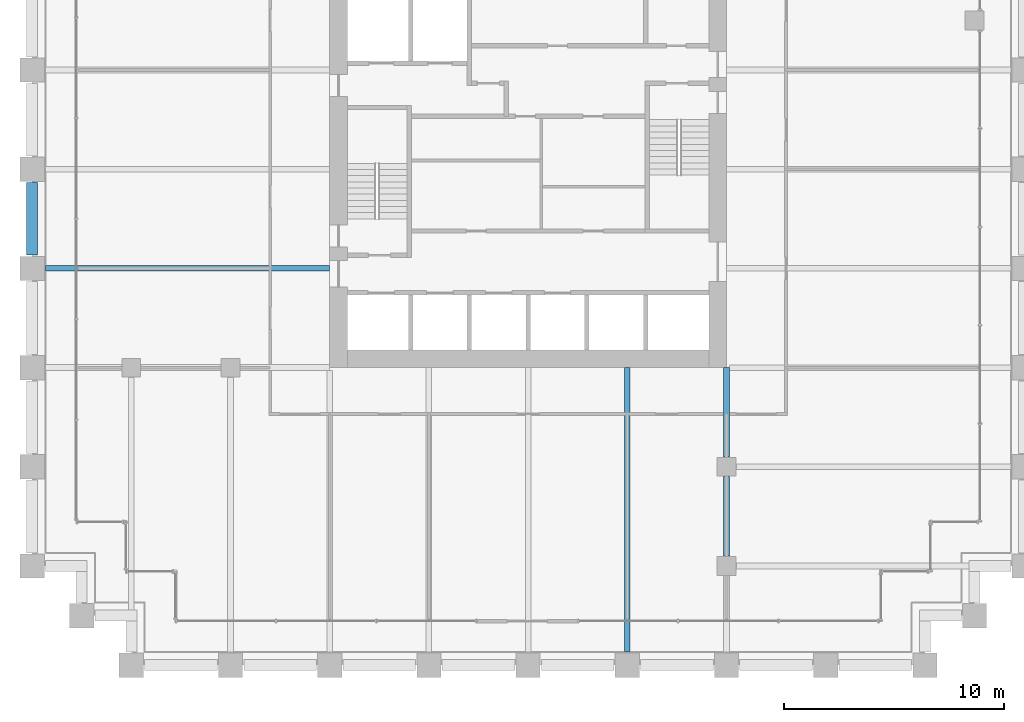
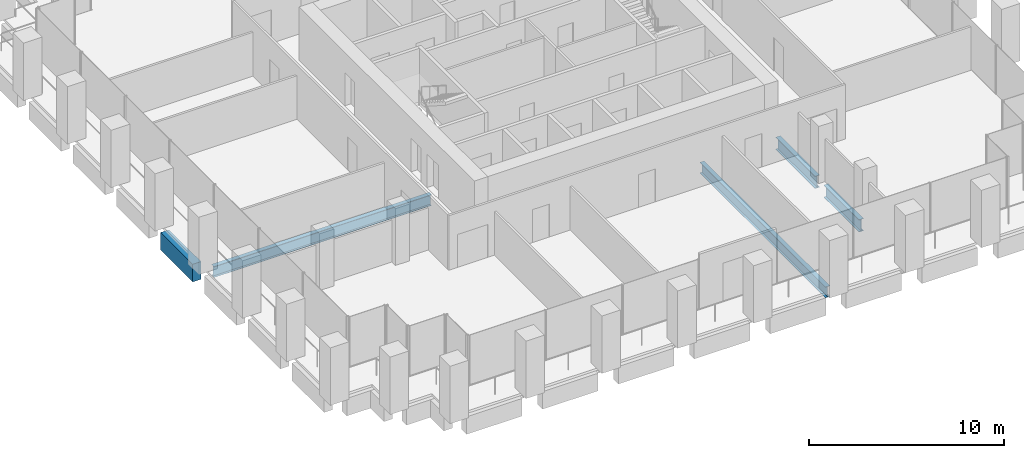
# One storey, part 10 of 55: 5 beams.
"""IFC4 building model written with IfcOpenShell, lengths in metres."""

import ifcopenshell
import ifcopenshell.guid

model = None  # the IFC model being written
_history = None  # IfcOwnerHistory: only IFC2X3 demands one
_inside = {}  # id of a spatial element -> (the spatial element, [elements in it])
_under = {}  # id of a project, library or spatial element -> (it, [spatial elements below it])
_declared = {}  # id of a project -> (the project, [libraries it declares])
_typed = {}  # id of a type object -> (the type object, [elements of that type])
_made_of = {}  # id of a material, layer set ... -> (it, [elements and type objects made of it])


def new_model(schema):
    """Start an empty IFC model of exactly this schema.

    Asked for "IFC4X3", IfcOpenShell would pick the latest addendum, in which some entities
    have other attributes; the version numbers below select the first issue.
    IFC2X3 requires an IfcOwnerHistory on every rooted entity: one is made here for all.
    """
    global model, _history
    if schema == "IFC4X3":
        model = ifcopenshell.file(schema_version=(4, 3, 0, 0))
    else:
        model = ifcopenshell.file(schema=schema)
    _inside.clear()
    _under.clear()
    _declared.clear()
    _typed.clear()
    _made_of.clear()
    _history = None
    if model.schema == "IFC2X3":
        org = make("IfcOrganization", Name="unknown")
        user = make(
            "IfcPersonAndOrganization",
            ThePerson=make("IfcPerson", FamilyName="unknown"),
            TheOrganization=org,
        )
        app = make(
            "IfcApplication",
            ApplicationDeveloper=org,
            Version="unknown",
            ApplicationFullName="unknown",
            ApplicationIdentifier="unknown",
        )
        _history = make(
            "IfcOwnerHistory",
            OwningUser=user,
            OwningApplication=app,
            ChangeAction="ADDED",
            CreationDate=0,
        )
    return model


def make(cls, **values):
    """One entity of the class cls with the attributes given. An attribute that is None is left unset."""
    return model.create_entity(
        cls, **{name: value for name, value in values.items() if value is not None}
    )


def rooted(cls, **values):
    """An entity with a GlobalId (a new one), such as an element, a storey or a relation."""
    return make(cls, GlobalId=ifcopenshell.guid.new(), OwnerHistory=_history, **values)


def si_unit(unit_type, name, prefix=None):
    """IfcSIUnit, for example si_unit("LENGTHUNIT", "METRE", prefix="MILLI")."""
    return make("IfcSIUnit", UnitType=unit_type, Prefix=prefix, Name=name)


def assignment(units):
    """IfcUnitAssignment: the units of a project."""
    return None if units is None else make("IfcUnitAssignment", Units=units)


def point(xyz):
    """IfcCartesianPoint."""
    return None if xyz is None else make("IfcCartesianPoint", Coordinates=xyz)


def direction(xyz):
    """IfcDirection."""
    return None if xyz is None else make("IfcDirection", DirectionRatios=xyz)


def frame(location, z_axis=None, x_axis=None):
    """IfcAxis2Placement3D, a coordinate frame: its origin and axes. An axis left out is left unset."""
    return make(
        "IfcAxis2Placement3D",
        Location=point(location),
        Axis=direction(z_axis),
        RefDirection=direction(x_axis),
    )


def frame_2d(location, x_axis=None):
    """IfcAxis2Placement2D, a coordinate frame in the plane: its origin and x axis."""
    return make(
        "IfcAxis2Placement2D", Location=point(location), RefDirection=direction(x_axis)
    )


def origin():
    """The frame at (0, 0, 0) with its axes left unset."""
    return frame((0.0, 0.0, 0.0))


def origin_2d():
    """The frame at (0, 0) in the plane with its x axis left unset."""
    return frame_2d((0.0, 0.0))


def place(relative_to, where):
    """IfcLocalPlacement: puts the frame where relative to a parent placement (None: the world)."""
    return make(
        "IfcLocalPlacement", PlacementRelTo=relative_to, RelativePlacement=where
    )


def context(
    kind, dimensions, precision=None, world=None, true_north=None, identifier=None
):
    """IfcGeometricRepresentationContext, for example the 3D "Model" context."""
    return make(
        "IfcGeometricRepresentationContext",
        ContextIdentifier=identifier,
        ContextType=kind,
        CoordinateSpaceDimension=dimensions,
        Precision=precision,
        WorldCoordinateSystem=world,
        TrueNorth=true_north,
    )


def subcontext(parent, identifier, kind, view, scale=None):
    """IfcGeometricRepresentationSubContext, for example "Body" below "Model"."""
    return make(
        "IfcGeometricRepresentationSubContext",
        ContextIdentifier=identifier,
        ContextType=kind,
        ParentContext=parent,
        TargetScale=scale,
        TargetView=view,
    )


def project(units=None, contexts=None):
    """IfcProject with its units and contexts."""
    return rooted(
        "IfcProject",
        Name="project",
        RepresentationContexts=contexts,
        UnitsInContext=assignment(units),
    )


def spatial(cls, under=None, at=None, **own):
    """A site, building, storey or space (cls), placed at a placement, below another one or the project."""
    s = rooted(cls, ObjectPlacement=at, **own)
    if under is not None:
        _under.setdefault(under.id(), (under, []))[1].append(s)
    return s


def profile(cls, at=None, kind="AREA", **sizes):
    """A parametric profile (cls). Its sizes go by their IFC names, for example OverallWidth=200.0."""
    return make(cls, ProfileType=kind, Position=at, **sizes)


def rectangle(**sizes):
    """IfcRectangleProfileDef."""
    return profile("IfcRectangleProfileDef", **sizes)


def i_section(**sizes):
    """IfcIShapeProfileDef."""
    return profile("IfcIShapeProfileDef", **sizes)


def extrude(swept, where, along, depth):
    """IfcExtrudedAreaSolid: the profile swept, set in the frame where, extruded along a direction by depth."""
    return make(
        "IfcExtrudedAreaSolid",
        SweptArea=swept,
        Position=where,
        ExtrudedDirection=direction(along),
        Depth=depth,
    )


def shape(context_of_items, identifier, shape_type, items):
    """IfcShapeRepresentation: the items that make up one representation, for example the "Body"."""
    return make(
        "IfcShapeRepresentation",
        ContextOfItems=context_of_items,
        RepresentationIdentifier=identifier,
        RepresentationType=shape_type,
        Items=items,
    )


def material(Name=None, Category=None):
    """IfcMaterial."""
    return make("IfcMaterial", Name=Name, Category=Category)


def material_profile(
    of_material, cross_section, Name=None, Category=None, Priority=None
):
    """IfcMaterialProfile: a cross section and its material."""
    return make(
        "IfcMaterialProfile",
        Name=Name,
        Material=of_material,
        Profile=cross_section,
        Priority=Priority,
        Category=Category,
    )


def profile_set(profiles, Name=None, composite=None):
    """IfcMaterialProfileSet."""
    return make(
        "IfcMaterialProfileSet",
        Name=Name,
        MaterialProfiles=profiles,
        CompositeProfile=composite,
    )


def made_of(thing, what):
    """Note that an element or type object is made of a material, layer set ...; save() writes the relation."""
    if what is not None:
        _made_of.setdefault(what.id(), (what, []))[1].append(thing)
    return thing


def type_object(cls, material=None, **own):
    """A type object (cls), such as IfcWallType, which elements share."""
    return made_of(rooted(cls, **own), material)


def element(
    cls,
    number,
    at=None,
    inside=None,
    cuts=None,
    type_object=None,
    material=None,
    context=None,
    identifier="Body",
    shape_type=None,
    held_by="IfcProductDefinitionShape",
    body=None,
    shapes=None,
    **own,
):
    """One element of the class cls, such as IfcWall. Its Tag is "e" and its number.

    at: its placement. inside: the storey or other place that contains it. cuts: it is an
    opening in that element (IfcRelVoidsElement). A single representation is given by context,
    identifier, shape_type and body (its items); several are given by shapes. held_by: the class
    of the entity that holds the representations. save() writes the other relations.
    """
    e = rooted(cls, Tag="e%d" % number, ObjectPlacement=at, **own)
    if body is not None:
        shapes = [shape(context, identifier, shape_type, body)]
    if shapes is not None:
        e.Representation = make(held_by, Representations=shapes)
    if inside is not None:
        _inside.setdefault(inside.id(), (inside, []))[1].append(e)
    if cuts is not None:
        rooted(
            "IfcRelVoidsElement", RelatingBuildingElement=cuts, RelatedOpeningElement=e
        )
    if type_object is not None:
        _typed.setdefault(type_object.id(), (type_object, []))[1].append(e)
    return made_of(e, material)


def aggregate(whole, parts):
    """IfcRelAggregates: a whole, such as a stair, and the parts it consists of."""
    return rooted("IfcRelAggregates", RelatingObject=whole, RelatedObjects=parts)


def save(model, path):
    """Write the relations noted so far, then the file.

    IfcRelAggregates (storeys below a building ...), IfcRelContainedInSpatialStructure (elements
    in a storey), IfcRelDefinesByType, IfcRelAssociatesMaterial and IfcRelDeclares: one each for
    every whole, place, type object, material and project.
    """
    for whole, parts in _under.values():
        aggregate(whole, parts)
    for where, things in _inside.values():
        rooted(
            "IfcRelContainedInSpatialStructure",
            RelatedElements=things,
            RelatingStructure=where,
        )
    for kind, things in _typed.values():
        rooted("IfcRelDefinesByType", RelatedObjects=things, RelatingType=kind)
    for what, things in _made_of.values():
        rooted("IfcRelAssociatesMaterial", RelatedObjects=things, RelatingMaterial=what)
    for by, libraries in _declared.values():
        rooted("IfcRelDeclares", RelatingContext=by, RelatedDefinitions=libraries)
    model.write(path)


model = new_model("IFC4")

# Units and contexts
model_context = context("Model", 3, precision=1e-05, world=origin(), true_north=direction((0.0, 1.0)))
body_context = subcontext(model_context, "Body", "Model", "MODEL_VIEW")
ifc_project = project(units=[si_unit("LENGTHUNIT", "METRE"), si_unit("AREAUNIT", "SQUARE_METRE"), si_unit("VOLUMEUNIT", "CUBIC_METRE"), si_unit("PLANEANGLEUNIT", "RADIAN"), si_unit("MASSUNIT", "GRAM", prefix="KILO")], contexts=[model_context])

# Site, building, storey
site_placement = place(None, origin())
site = spatial("IfcSite", under=ifc_project, at=site_placement, CompositionType="ELEMENT")
building_placement = place(site_placement, origin())
building = spatial("IfcBuilding", under=site, at=building_placement, Name="Altepetl Exchange Towers", CompositionType="ELEMENT")
storey_placement = place(building_placement, frame((0.0, 0.0, 47.39990234375)))
storey = spatial("IfcBuildingStorey", under=building, at=storey_placement, Name="L10", CompositionType="ELEMENT", Elevation=47.39990234375)

# Beams
ifc_material_1 = material(Name="Steel S355", Category="steel")
ifc_material_profile_1 = material_profile(ifc_material_1, i_section(OverallWidth=0.25390625, OverallDepth=0.68408203125, WebThickness=0.012451171875, FlangeThickness=0.018798828125, at=origin_2d()), Name="W27X94")
ifc_profile_set_1 = profile_set([ifc_material_profile_1], Name="Steel S355")
beam_type_1 = type_object("IfcBeamType", Name="Floor beam W27X94", PredefinedType="BEAM", material=ifc_profile_set_1)
for number, where, z_axis, x_axis, name in (
    (1, (54.0, 27.60009765625, -0.491943359375), (0.0, 1.0, 0.0), (-1.0, 0.0, 0.0), "bm:A:L10:017"),
    (2, (27.60009765625, 45.0, -0.491943359375), (1.0, 0.0, 0.0), (0.0, 1.0, 0.0), "bm:A:L10:018"),
):
    element("IfcBeam", number, at=place(storey_placement, frame(where, z_axis=z_axis, x_axis=x_axis)), inside=storey, type_object=beam_type_1, Name=name, PredefinedType="BEAM", context=body_context, shape_type="SweptSolid", body=[
        extrude(i_section(OverallWidth=0.25390625, OverallDepth=0.68408203125, WebThickness=0.012451171875, FlangeThickness=0.018798828125, at=origin_2d()), origin(), (0.0, 0.0, 1.0), 12.89990234375),
    ])
ifc_material_profile_2 = material_profile(ifc_material_1, i_section(OverallWidth=0.26806640625, OverallDepth=0.77392578125, WebThickness=0.015380859375, FlangeThickness=0.025390625, at=origin_2d()), Name="W30X132")
ifc_profile_set_2 = profile_set([ifc_material_profile_2], Name="Steel S355")
beam_type_2 = type_object("IfcBeamType", Name="Girder W30X132", PredefinedType="BEAM", material=ifc_profile_set_2)
beam_1_placement = place(storey_placement, frame((58.5, 40.5, -0.536865234375), z_axis=(0.0, -1.0, 0.0), x_axis=(1.0, 0.0, 0.0)))
element("IfcBeam", 3, at=beam_1_placement, inside=storey, type_object=beam_type_2, Name="gd:A:L10:006", PredefinedType="BEAM", context=body_context, shape_type="SweptSolid", body=[
    extrude(i_section(OverallWidth=0.26806640625, OverallDepth=0.77392578125, WebThickness=0.015380859375, FlangeThickness=0.025390625, at=origin_2d()), origin(), (0.0, 0.0, 1.0), 4.050048828125),
])
beam_2_placement = place(storey_placement, frame((58.5, 35.550048828125, -0.536865234375), z_axis=(0.0, -1.0, 0.0), x_axis=(1.0, 0.0, 0.0)))
element("IfcBeam", 4, at=beam_2_placement, inside=storey, type_object=beam_type_2, Name="gd:A:L10:007", PredefinedType="BEAM", context=body_context, shape_type="SweptSolid", body=[
    extrude(i_section(OverallWidth=0.26806640625, OverallDepth=0.77392578125, WebThickness=0.015380859375, FlangeThickness=0.025390625, at=origin_2d()), origin(), (0.0, 0.0, 1.0), 3.60009765625),
])
ifc_material_2 = material(Name="Concrete C50/60 precast with tezontle facing", Category="concrete")
ifc_material_profile_3 = material_profile(ifc_material_2, rectangle(XDim=0.5, YDim=1.10009765625, at=origin_2d()), Name="500 x 1100")
ifc_profile_set_3 = profile_set([ifc_material_profile_3], Name="Concrete C50/60 precast with tezontle facing")
beam_type_3 = type_object("IfcBeamType", Name="Spandrel beam 500x1100 tezontle", PredefinedType="SPANDREL", material=ifc_profile_set_3)
beam_3_placement = place(storey_placement, frame((27.0, 48.89990234375, -0.699951171875), z_axis=(0.0, -1.0, 0.0), x_axis=(1.0, 0.0, 0.0)))
element("IfcBeam", 5, at=beam_3_placement, inside=storey, type_object=beam_type_3, Name="sp:A:L10:040", PredefinedType="SPANDREL", context=body_context, shape_type="SweptSolid", body=[
    extrude(rectangle(XDim=0.5, YDim=1.10009765625, at=origin_2d()), origin(), (0.0, 0.0, 1.0), 3.2998046875),
])

save(model, "model.ifc")
